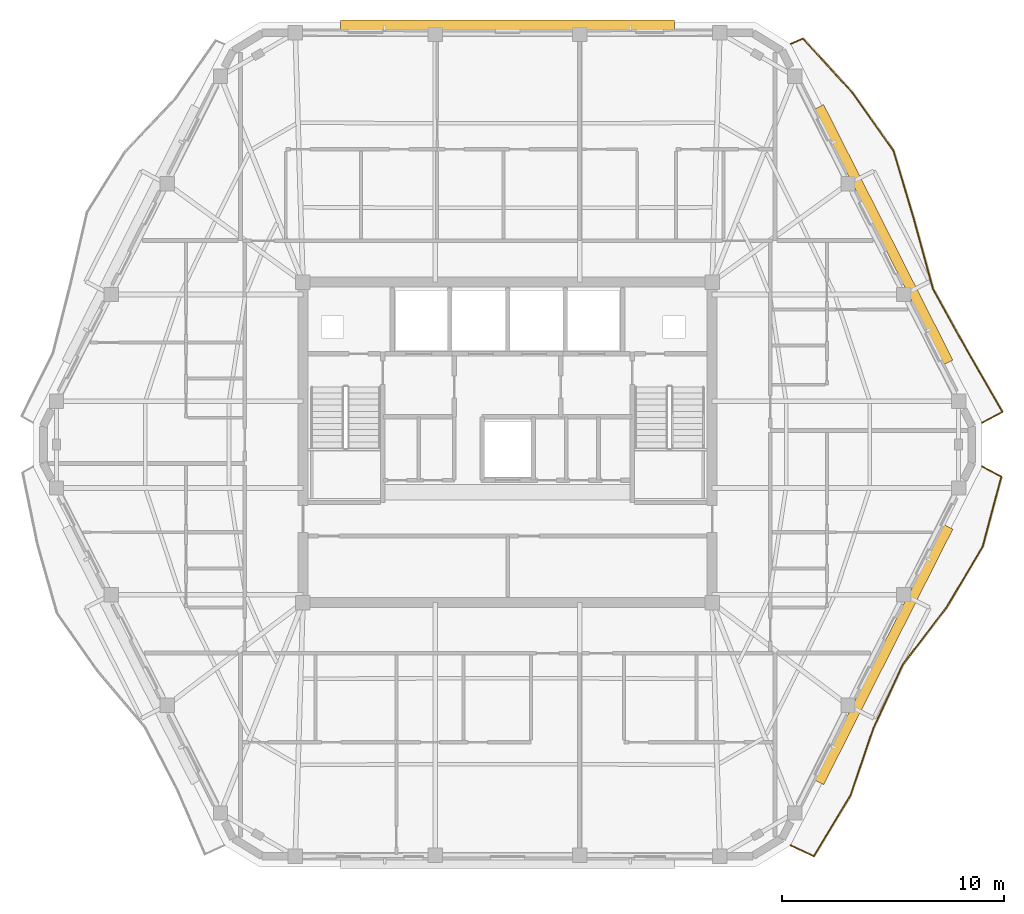
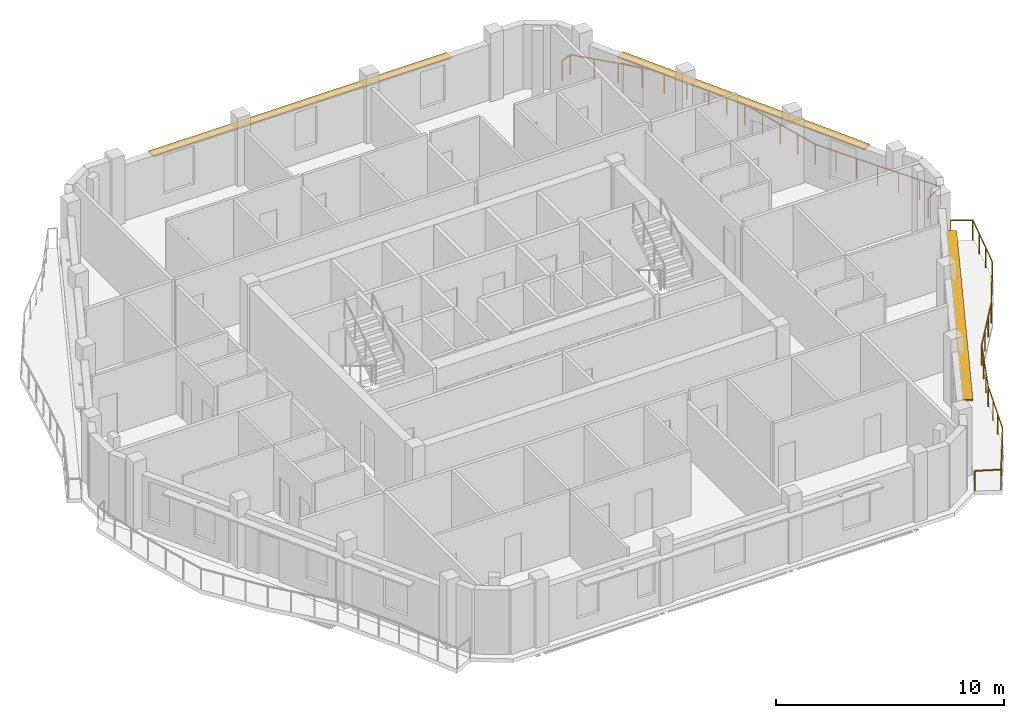
# One storey, part 11 of 11: 3 shading devices, 2 railings.
"""IFC4 building model written with IfcOpenShell, lengths in metres."""

import ifcopenshell
import ifcopenshell.guid

model = None  # the IFC model being written
_history = None  # IfcOwnerHistory: only IFC2X3 demands one
_inside = {}  # id of a spatial element -> (the spatial element, [elements in it])
_under = {}  # id of a project, library or spatial element -> (it, [spatial elements below it])
_declared = {}  # id of a project -> (the project, [libraries it declares])
_typed = {}  # id of a type object -> (the type object, [elements of that type])
_made_of = {}  # id of a material, layer set ... -> (it, [elements and type objects made of it])


def new_model(schema):
    """Start an empty IFC model of exactly this schema.

    Asked for "IFC4X3", IfcOpenShell would pick the latest addendum, in which some entities
    have other attributes; the version numbers below select the first issue.
    IFC2X3 requires an IfcOwnerHistory on every rooted entity: one is made here for all.
    """
    global model, _history
    if schema == "IFC4X3":
        model = ifcopenshell.file(schema_version=(4, 3, 0, 0))
    else:
        model = ifcopenshell.file(schema=schema)
    _inside.clear()
    _under.clear()
    _declared.clear()
    _typed.clear()
    _made_of.clear()
    _history = None
    if model.schema == "IFC2X3":
        org = make("IfcOrganization", Name="unknown")
        user = make(
            "IfcPersonAndOrganization",
            ThePerson=make("IfcPerson", FamilyName="unknown"),
            TheOrganization=org,
        )
        app = make(
            "IfcApplication",
            ApplicationDeveloper=org,
            Version="unknown",
            ApplicationFullName="unknown",
            ApplicationIdentifier="unknown",
        )
        _history = make(
            "IfcOwnerHistory",
            OwningUser=user,
            OwningApplication=app,
            ChangeAction="ADDED",
            CreationDate=0,
        )
    return model


def make(cls, **values):
    """One entity of the class cls with the attributes given. An attribute that is None is left unset."""
    return model.create_entity(
        cls, **{name: value for name, value in values.items() if value is not None}
    )


def rooted(cls, **values):
    """An entity with a GlobalId (a new one), such as an element, a storey or a relation."""
    return make(cls, GlobalId=ifcopenshell.guid.new(), OwnerHistory=_history, **values)


def si_unit(unit_type, name, prefix=None):
    """IfcSIUnit, for example si_unit("LENGTHUNIT", "METRE", prefix="MILLI")."""
    return make("IfcSIUnit", UnitType=unit_type, Prefix=prefix, Name=name)


def assignment(units):
    """IfcUnitAssignment: the units of a project."""
    return None if units is None else make("IfcUnitAssignment", Units=units)


def point(xyz):
    """IfcCartesianPoint."""
    return None if xyz is None else make("IfcCartesianPoint", Coordinates=xyz)


def direction(xyz):
    """IfcDirection."""
    return None if xyz is None else make("IfcDirection", DirectionRatios=xyz)


def frame(location, z_axis=None, x_axis=None):
    """IfcAxis2Placement3D, a coordinate frame: its origin and axes. An axis left out is left unset."""
    return make(
        "IfcAxis2Placement3D",
        Location=point(location),
        Axis=direction(z_axis),
        RefDirection=direction(x_axis),
    )


def frame_2d(location, x_axis=None):
    """IfcAxis2Placement2D, a coordinate frame in the plane: its origin and x axis."""
    return make(
        "IfcAxis2Placement2D", Location=point(location), RefDirection=direction(x_axis)
    )


def origin():
    """The frame at (0, 0, 0) with its axes left unset."""
    return frame((0.0, 0.0, 0.0))


def origin_2d():
    """The frame at (0, 0) in the plane with its x axis left unset."""
    return frame_2d((0.0, 0.0))


def place(relative_to, where):
    """IfcLocalPlacement: puts the frame where relative to a parent placement (None: the world)."""
    return make(
        "IfcLocalPlacement", PlacementRelTo=relative_to, RelativePlacement=where
    )


def context(
    kind, dimensions, precision=None, world=None, true_north=None, identifier=None
):
    """IfcGeometricRepresentationContext, for example the 3D "Model" context."""
    return make(
        "IfcGeometricRepresentationContext",
        ContextIdentifier=identifier,
        ContextType=kind,
        CoordinateSpaceDimension=dimensions,
        Precision=precision,
        WorldCoordinateSystem=world,
        TrueNorth=true_north,
    )


def subcontext(parent, identifier, kind, view, scale=None):
    """IfcGeometricRepresentationSubContext, for example "Body" below "Model"."""
    return make(
        "IfcGeometricRepresentationSubContext",
        ContextIdentifier=identifier,
        ContextType=kind,
        ParentContext=parent,
        TargetScale=scale,
        TargetView=view,
    )


def project(units=None, contexts=None):
    """IfcProject with its units and contexts."""
    return rooted(
        "IfcProject",
        Name="project",
        RepresentationContexts=contexts,
        UnitsInContext=assignment(units),
    )


def spatial(cls, under=None, at=None, **own):
    """A site, building, storey or space (cls), placed at a placement, below another one or the project."""
    s = rooted(cls, ObjectPlacement=at, **own)
    if under is not None:
        _under.setdefault(under.id(), (under, []))[1].append(s)
    return s


def profile(cls, at=None, kind="AREA", **sizes):
    """A parametric profile (cls). Its sizes go by their IFC names, for example OverallWidth=200.0."""
    return make(cls, ProfileType=kind, Position=at, **sizes)


def rectangle(**sizes):
    """IfcRectangleProfileDef."""
    return profile("IfcRectangleProfileDef", **sizes)


def extrude(swept, where, along, depth):
    """IfcExtrudedAreaSolid: the profile swept, set in the frame where, extruded along a direction by depth."""
    return make(
        "IfcExtrudedAreaSolid",
        SweptArea=swept,
        Position=where,
        ExtrudedDirection=direction(along),
        Depth=depth,
    )


def shape(context_of_items, identifier, shape_type, items):
    """IfcShapeRepresentation: the items that make up one representation, for example the "Body"."""
    return make(
        "IfcShapeRepresentation",
        ContextOfItems=context_of_items,
        RepresentationIdentifier=identifier,
        RepresentationType=shape_type,
        Items=items,
    )


def material(Name=None, Category=None):
    """IfcMaterial."""
    return make("IfcMaterial", Name=Name, Category=Category)


def layer(
    of_material, thickness, ventilated=None, Name=None, Category=None, Priority=None
):
    """IfcMaterialLayer: one layer of a wall or slab, of a material (None: an air gap)."""
    return make(
        "IfcMaterialLayer",
        Material=of_material,
        LayerThickness=thickness,
        IsVentilated=ventilated,
        Name=Name,
        Category=Category,
        Priority=Priority,
    )


def layer_set(layers, Name=None):
    """IfcMaterialLayerSet."""
    return make("IfcMaterialLayerSet", MaterialLayers=layers, LayerSetName=Name)


def made_of(thing, what):
    """Note that an element or type object is made of a material, layer set ...; save() writes the relation."""
    if what is not None:
        _made_of.setdefault(what.id(), (what, []))[1].append(thing)
    return thing


def type_object(cls, material=None, **own):
    """A type object (cls), such as IfcWallType, which elements share."""
    return made_of(rooted(cls, **own), material)


def element(
    cls,
    number,
    at=None,
    inside=None,
    cuts=None,
    type_object=None,
    material=None,
    context=None,
    identifier="Body",
    shape_type=None,
    held_by="IfcProductDefinitionShape",
    body=None,
    shapes=None,
    **own,
):
    """One element of the class cls, such as IfcWall. Its Tag is "e" and its number.

    at: its placement. inside: the storey or other place that contains it. cuts: it is an
    opening in that element (IfcRelVoidsElement). A single representation is given by context,
    identifier, shape_type and body (its items); several are given by shapes. held_by: the class
    of the entity that holds the representations. save() writes the other relations.
    """
    e = rooted(cls, Tag="e%d" % number, ObjectPlacement=at, **own)
    if body is not None:
        shapes = [shape(context, identifier, shape_type, body)]
    if shapes is not None:
        e.Representation = make(held_by, Representations=shapes)
    if inside is not None:
        _inside.setdefault(inside.id(), (inside, []))[1].append(e)
    if cuts is not None:
        rooted(
            "IfcRelVoidsElement", RelatingBuildingElement=cuts, RelatedOpeningElement=e
        )
    if type_object is not None:
        _typed.setdefault(type_object.id(), (type_object, []))[1].append(e)
    return made_of(e, material)


def aggregate(whole, parts):
    """IfcRelAggregates: a whole, such as a stair, and the parts it consists of."""
    return rooted("IfcRelAggregates", RelatingObject=whole, RelatedObjects=parts)


def save(model, path):
    """Write the relations noted so far, then the file.

    IfcRelAggregates (storeys below a building ...), IfcRelContainedInSpatialStructure (elements
    in a storey), IfcRelDefinesByType, IfcRelAssociatesMaterial and IfcRelDeclares: one each for
    every whole, place, type object, material and project.
    """
    for whole, parts in _under.values():
        aggregate(whole, parts)
    for where, things in _inside.values():
        rooted(
            "IfcRelContainedInSpatialStructure",
            RelatedElements=things,
            RelatingStructure=where,
        )
    for kind, things in _typed.values():
        rooted("IfcRelDefinesByType", RelatedObjects=things, RelatingType=kind)
    for what, things in _made_of.values():
        rooted("IfcRelAssociatesMaterial", RelatedObjects=things, RelatingMaterial=what)
    for by, libraries in _declared.values():
        rooted("IfcRelDeclares", RelatingContext=by, RelatedDefinitions=libraries)
    model.write(path)


model = new_model("IFC4")

# Units and contexts
model_context = context("Model", 3, precision=1e-05, world=origin(), true_north=direction((0.0, 1.0)))
body_context = subcontext(model_context, "Body", "Model", "MODEL_VIEW")
ifc_project = project(units=[si_unit("LENGTHUNIT", "METRE"), si_unit("AREAUNIT", "SQUARE_METRE"), si_unit("VOLUMEUNIT", "CUBIC_METRE"), si_unit("PLANEANGLEUNIT", "RADIAN"), si_unit("MASSUNIT", "GRAM", prefix="KILO")], contexts=[model_context])

# Site, building, storey
site_placement = place(None, origin())
site = spatial("IfcSite", under=ifc_project, at=site_placement, CompositionType="ELEMENT")
building_placement = place(site_placement, origin())
building = spatial("IfcBuilding", under=site, at=building_placement, Name="Cinnabar Lancet Tower", CompositionType="ELEMENT")
storey_placement = place(building_placement, frame((0.0, 0.0, 259.85009765625)))
storey = spatial("IfcBuildingStorey", under=building, at=storey_placement, Name="L69", CompositionType="ELEMENT", Elevation=259.85009765625)

# Railings
ifc_material_1 = material(Name="Laminated safety glass and bronze stainless steel balustrade", Category="steel")
railing_type = type_object("IfcRailingType", Name="ENV-RLG-BAL-1100", PredefinedType="BALUSTRADE", material=ifc_material_1)
railing_1_placement = place(storey_placement, frame((45.160888671875, 7.73193359375, 0.0)))
element("IfcRailing", 1, at=railing_1_placement, inside=storey, type_object=railing_type, Name="L69 Face 2 Wave Balcony Balustrade", PredefinedType="BALUSTRADE", context=body_context, shape_type="SweptSolid", body=[
    extrude(rectangle(XDim=0.048095703125, YDim=0.048095703125, at=origin_2d()), frame((0.0, 0.0, 1.076171875), z_axis=(0.904305332568, -0.426886244203, 0.0), x_axis=(0.426886244203, 0.904305332568, 0.0)), (0.0, 0.0, 1.0), 1.15478515625),
    extrude(rectangle(XDim=0.048095703125, YDim=0.048095703125, at=origin_2d()), frame((1.044189453125, -0.492919921875, 1.076171875), z_axis=(0.517328135717, 0.85578712306, 0.0), x_axis=(-0.85578712306, 0.517328135717, 0.0)), (0.0, 0.0, 1.0), 3.191162109375),
    extrude(rectangle(XDim=0.048095703125, YDim=0.048095703125, at=origin_2d()), frame((2.695068359375, 2.238037109375, 1.076171875), z_axis=(0.322964661081, 0.94641102471, 0.0), x_axis=(-0.94641102471, 0.322964661081, 0.0)), (0.0, 0.0, 1.0), 3.21435546875),
    extrude(rectangle(XDim=0.048095703125, YDim=0.048095703125, at=origin_2d()), frame((3.733154296875, 5.280029296875, 1.076171875), z_axis=(0.419846241797, 0.90759524748, 0.0), x_axis=(-0.90759524748, 0.419846241797, 0.0)), (0.0, 0.0, 1.0), 3.181884765625),
    extrude(rectangle(XDim=0.048095703125, YDim=0.048095703125, at=origin_2d()), frame((5.069091796875, 8.16796875, 1.076171875), z_axis=(0.608452133361, 0.793590575428, 0.0), x_axis=(-0.793590575428, 0.608452133361, 0.0)), (0.0, 0.0, 1.0), 3.236083984375),
    extrude(rectangle(XDim=0.048095703125, YDim=0.048095703125, at=origin_2d()), frame((7.0380859375, 10.736083984375, 1.076171875), z_axis=(0.509340567573, 0.860565038928, 0.0), x_axis=(-0.860565038928, 0.509340567573, 0.0)), (0.0, 0.0, 1.0), 3.1884765625),
    extrude(rectangle(XDim=0.048095703125, YDim=0.048095703125, at=origin_2d()), frame((8.662109375, 13.47998046875, 1.076171875), z_axis=(0.258443243123, 0.966026443781, 0.0), x_axis=(-0.966026443781, 0.258443243123, 0.0)), (0.0, 0.0, 1.0), 3.25048828125),
    extrude(rectangle(XDim=0.048095703125, YDim=0.048095703125, at=origin_2d()), frame((9.502197265625, 16.6201171875, 1.076171875), z_axis=(-0.879217923845, 0.476419817377, 0.0), x_axis=(-0.476419817377, -0.879217923845, 0.0)), (0.0, 0.0, 1.0), 0.978271484375),
    extrude(rectangle(XDim=0.0419921875, YDim=0.0419921875, at=origin_2d()), origin(), (0.0, 0.0, 1.0), 1.052001953125),
    extrude(rectangle(XDim=0.0419921875, YDim=0.0419921875, at=origin_2d()), frame((1.044189453125, -0.492919921875, 0.0)), (0.0, 0.0, 1.0), 1.052001953125),
    extrude(rectangle(XDim=0.0419921875, YDim=0.0419921875, at=origin_2d()), frame((1.594482421875, 0.41748046875, 0.0)), (0.0, 0.0, 1.0), 1.052001953125),
    extrude(rectangle(XDim=0.0419921875, YDim=0.0419921875, at=origin_2d()), frame((2.144775390625, 1.32763671875, 0.0)), (0.0, 0.0, 1.0), 1.052001953125),
    extrude(rectangle(XDim=0.0419921875, YDim=0.0419921875, at=origin_2d()), frame((2.695068359375, 2.238037109375, 0.0)), (0.0, 0.0, 1.0), 1.052001953125),
    extrude(rectangle(XDim=0.0419921875, YDim=0.0419921875, at=origin_2d()), frame((3.041015625, 3.251953125, 0.0)), (0.0, 0.0, 1.0), 1.052001953125),
    extrude(rectangle(XDim=0.0419921875, YDim=0.0419921875, at=origin_2d()), frame((3.38720703125, 4.26611328125, 0.0)), (0.0, 0.0, 1.0), 1.052001953125),
    extrude(rectangle(XDim=0.0419921875, YDim=0.0419921875, at=origin_2d()), frame((3.733154296875, 5.280029296875, 0.0)), (0.0, 0.0, 1.0), 1.052001953125),
    extrude(rectangle(XDim=0.0419921875, YDim=0.0419921875, at=origin_2d()), frame((4.178466796875, 6.24267578125, 0.0)), (0.0, 0.0, 1.0), 1.052001953125),
    extrude(rectangle(XDim=0.0419921875, YDim=0.0419921875, at=origin_2d()), frame((4.623779296875, 7.205322265625, 0.0)), (0.0, 0.0, 1.0), 1.052001953125),
    extrude(rectangle(XDim=0.0419921875, YDim=0.0419921875, at=origin_2d()), frame((5.069091796875, 8.16796875, 0.0)), (0.0, 0.0, 1.0), 1.052001953125),
    extrude(rectangle(XDim=0.0419921875, YDim=0.0419921875, at=origin_2d()), frame((5.725341796875, 9.02392578125, 0.0)), (0.0, 0.0, 1.0), 1.052001953125),
    extrude(rectangle(XDim=0.0419921875, YDim=0.0419921875, at=origin_2d()), frame((6.3818359375, 9.880126953125, 0.0)), (0.0, 0.0, 1.0), 1.052001953125),
    extrude(rectangle(XDim=0.0419921875, YDim=0.0419921875, at=origin_2d()), frame((7.0380859375, 10.736083984375, 0.0)), (0.0, 0.0, 1.0), 1.052001953125),
    extrude(rectangle(XDim=0.0419921875, YDim=0.0419921875, at=origin_2d()), frame((7.579345703125, 11.650634765625, 0.0)), (0.0, 0.0, 1.0), 1.052001953125),
    extrude(rectangle(XDim=0.0419921875, YDim=0.0419921875, at=origin_2d()), frame((8.120849609375, 12.5654296875, 0.0)), (0.0, 0.0, 1.0), 1.052001953125),
    extrude(rectangle(XDim=0.0419921875, YDim=0.0419921875, at=origin_2d()), frame((8.662109375, 13.47998046875, 0.0)), (0.0, 0.0, 1.0), 1.052001953125),
    extrude(rectangle(XDim=0.0419921875, YDim=0.0419921875, at=origin_2d()), frame((8.942138671875, 14.526611328125, 0.0)), (0.0, 0.0, 1.0), 1.052001953125),
    extrude(rectangle(XDim=0.0419921875, YDim=0.0419921875, at=origin_2d()), frame((9.22216796875, 15.573486328125, 0.0)), (0.0, 0.0, 1.0), 1.052001953125),
    extrude(rectangle(XDim=0.0419921875, YDim=0.0419921875, at=origin_2d()), frame((9.502197265625, 16.6201171875, 0.0)), (0.0, 0.0, 1.0), 1.052001953125),
    extrude(rectangle(XDim=0.0419921875, YDim=0.0419921875, at=origin_2d()), frame((8.64208984375, 17.086181640625, 0.0)), (0.0, 0.0, 1.0), 1.052001953125),
])
railing_2_placement = place(storey_placement, frame((53.802978515625, 26.781982421875, 0.0)))
element("IfcRailing", 2, at=railing_2_placement, inside=storey, type_object=railing_type, Name="L69 Face 3 Wave Balcony Balustrade", PredefinedType="BALUSTRADE", context=body_context, shape_type="SweptSolid", body=[
    extrude(rectangle(XDim=0.048095703125, YDim=0.048095703125, at=origin_2d()), frame((0.0, 0.0, 1.076171875), z_axis=(0.88032714716, 0.474367066704, 0.0), x_axis=(-0.474367066704, 0.88032714716, 0.0)), (0.0, 0.0, 1.0), 1.034912109375),
    extrude(rectangle(XDim=0.048095703125, YDim=0.048095703125, at=origin_2d()), frame((0.9111328125, 0.490966796875, 1.076171875), z_axis=(-0.499755605676, 0.866166458941, 0.0), x_axis=(-0.866166458941, -0.499755605676, 0.0)), (0.0, 0.0, 1.0), 3.1875),
    extrude(rectangle(XDim=0.048095703125, YDim=0.048095703125, at=origin_2d()), frame((-0.681884765625, 3.251953125, 1.076171875), z_axis=(-0.48376650292, 0.875197103887, 0.0), x_axis=(-0.875197103887, -0.48376650292, 0.0)), (0.0, 0.0, 1.0), 3.183349609375),
    extrude(rectangle(XDim=0.048095703125, YDim=0.048095703125, at=origin_2d()), frame((-2.221923828125, 6.0380859375, 1.076171875), z_axis=(-0.264072173, 0.964502922467, 0.0), x_axis=(-0.964502922467, -0.264072173, 0.0)), (0.0, 0.0, 1.0), 3.2451171875),
    extrude(rectangle(XDim=0.048095703125, YDim=0.048095703125, at=origin_2d()), frame((-3.078857421875, 9.16796875, 1.076171875), z_axis=(-0.285740659688, 0.958306983905, 0.0), x_axis=(-0.958306983905, -0.285740659688, 0.0)), (0.0, 0.0, 1.0), 3.23388671875),
    extrude(rectangle(XDim=0.048095703125, YDim=0.048095703125, at=origin_2d()), frame((-4.0029296875, 12.26708984375, 1.076171875), z_axis=(-0.578110017559, 0.815958827147, 0.0), x_axis=(-0.815958827147, -0.578110017559, 0.0)), (0.0, 0.0, 1.0), 3.2158203125),
    extrude(rectangle(XDim=0.048095703125, YDim=0.048095703125, at=origin_2d()), frame((-5.862060546875, 14.89111328125, 1.076171875), z_axis=(-0.674766899204, 0.738030915164, 0.0), x_axis=(-0.738030915164, -0.674766899204, 0.0)), (0.0, 0.0, 1.0), 3.303466796875),
    extrude(rectangle(XDim=0.048095703125, YDim=0.048095703125, at=origin_2d()), frame((-8.091064453125, 17.3291015625, 1.076171875), z_axis=(-0.914878171934, -0.403730021819, 0.0), x_axis=(0.403730021819, -0.914878171934, 0.0)), (0.0, 0.0, 1.0), 0.602294921875),
    extrude(rectangle(XDim=0.0419921875, YDim=0.0419921875, at=origin_2d()), origin(), (0.0, 0.0, 1.0), 1.052001953125),
    extrude(rectangle(XDim=0.0419921875, YDim=0.0419921875, at=origin_2d()), frame((0.9111328125, 0.490966796875, 0.0)), (0.0, 0.0, 1.0), 1.052001953125),
    extrude(rectangle(XDim=0.0419921875, YDim=0.0419921875, at=origin_2d()), frame((0.380126953125, 1.411376953125, 0.0)), (0.0, 0.0, 1.0), 1.052001953125),
    extrude(rectangle(XDim=0.0419921875, YDim=0.0419921875, at=origin_2d()), frame((-0.15087890625, 2.33154296875, 0.0)), (0.0, 0.0, 1.0), 1.052001953125),
    extrude(rectangle(XDim=0.0419921875, YDim=0.0419921875, at=origin_2d()), frame((-0.681884765625, 3.251953125, 0.0)), (0.0, 0.0, 1.0), 1.052001953125),
    extrude(rectangle(XDim=0.0419921875, YDim=0.0419921875, at=origin_2d()), frame((-1.1953125, 4.1806640625, 0.0)), (0.0, 0.0, 1.0), 1.052001953125),
    extrude(rectangle(XDim=0.0419921875, YDim=0.0419921875, at=origin_2d()), frame((-1.70849609375, 5.109375, 0.0)), (0.0, 0.0, 1.0), 1.052001953125),
    extrude(rectangle(XDim=0.0419921875, YDim=0.0419921875, at=origin_2d()), frame((-2.221923828125, 6.0380859375, 0.0)), (0.0, 0.0, 1.0), 1.052001953125),
    extrude(rectangle(XDim=0.0419921875, YDim=0.0419921875, at=origin_2d()), frame((-2.507568359375, 7.081298828125, 0.0)), (0.0, 0.0, 1.0), 1.052001953125),
    extrude(rectangle(XDim=0.0419921875, YDim=0.0419921875, at=origin_2d()), frame((-2.793212890625, 8.124755859375, 0.0)), (0.0, 0.0, 1.0), 1.052001953125),
    extrude(rectangle(XDim=0.0419921875, YDim=0.0419921875, at=origin_2d()), frame((-3.078857421875, 9.16796875, 0.0)), (0.0, 0.0, 1.0), 1.052001953125),
    extrude(rectangle(XDim=0.0419921875, YDim=0.0419921875, at=origin_2d()), frame((-3.386962890625, 10.200927734375, 0.0)), (0.0, 0.0, 1.0), 1.052001953125),
    extrude(rectangle(XDim=0.0419921875, YDim=0.0419921875, at=origin_2d()), frame((-3.69482421875, 11.234130859375, 0.0)), (0.0, 0.0, 1.0), 1.052001953125),
    extrude(rectangle(XDim=0.0419921875, YDim=0.0419921875, at=origin_2d()), frame((-4.0029296875, 12.26708984375, 0.0)), (0.0, 0.0, 1.0), 1.052001953125),
    extrude(rectangle(XDim=0.0419921875, YDim=0.0419921875, at=origin_2d()), frame((-4.62255859375, 13.141845703125, 0.0)), (0.0, 0.0, 1.0), 1.052001953125),
    extrude(rectangle(XDim=0.0419921875, YDim=0.0419921875, at=origin_2d()), frame((-5.242431640625, 14.016357421875, 0.0)), (0.0, 0.0, 1.0), 1.052001953125),
    extrude(rectangle(XDim=0.0419921875, YDim=0.0419921875, at=origin_2d()), frame((-5.862060546875, 14.89111328125, 0.0)), (0.0, 0.0, 1.0), 1.052001953125),
    extrude(rectangle(XDim=0.0419921875, YDim=0.0419921875, at=origin_2d()), frame((-6.60498046875, 15.703857421875, 0.0)), (0.0, 0.0, 1.0), 1.052001953125),
    extrude(rectangle(XDim=0.0419921875, YDim=0.0419921875, at=origin_2d()), frame((-7.34814453125, 16.516357421875, 0.0)), (0.0, 0.0, 1.0), 1.052001953125),
    extrude(rectangle(XDim=0.0419921875, YDim=0.0419921875, at=origin_2d()), frame((-8.091064453125, 17.3291015625, 0.0)), (0.0, 0.0, 1.0), 1.052001953125),
    extrude(rectangle(XDim=0.0419921875, YDim=0.0419921875, at=origin_2d()), frame((-8.64208984375, 17.0859375, 0.0)), (0.0, 0.0, 1.0), 1.052001953125),
])

# Shading devices
ifc_material_2 = material(Name="Pale limestone architectural aluminium sunshade", Category="masonry")
ifc_layer = layer(ifc_material_2, 0.080078125)
ifc_layer_set = layer_set([ifc_layer], Name="Pale limestone architectural aluminium sunshade")
shading_device_type = type_object("IfcShadingDeviceType", Name="ENV-SHD-LVR-450", PredefinedType="JALOUSIE", material=ifc_layer_set)
for number, where, z_axis, x_axis, name in (
    (3, (49.364013671875, 16.330078125, 2.639892578125), (0.0, 0.0, 1.0), (0.451375984307, 0.89233386173, 0.0), "L69 Face 2 Horizontal Sunshade Canopy"),
    (4, (49.364013671875, 35.27001953125, 2.639892578125), (0.0, 0.0, 1.0), (-0.451375984307, 0.89233386173, 0.0), "L69 Face 3 Horizontal Sunshade Canopy"),
):
    element("IfcShadingDevice", number, at=place(storey_placement, frame(where, z_axis=z_axis, x_axis=x_axis)), inside=storey, type_object=shading_device_type, Name=name, PredefinedType="JALOUSIE", context=body_context, shape_type="SweptSolid", body=[
        extrude(rectangle(XDim=12.912109375, YDim=0.449951171875, at=origin_2d()), origin(), (0.0, 0.0, 1.0), 0.080078125),
    ])
shading_device_placement = place(storey_placement, frame((32.39990234375, 44.719970703125, 2.639892578125), z_axis=(0.0, 0.0, 1.0), x_axis=(-1.0, 0.0, 0.0)))
element("IfcShadingDevice", 5, at=shading_device_placement, inside=storey, type_object=shading_device_type, Name="L69 Face 4 Horizontal Sunshade Canopy", PredefinedType="JALOUSIE", context=body_context, shape_type="SweptSolid", body=[
    extrude(rectangle(XDim=15.06103515625, YDim=0.449951171875, at=origin_2d()), origin(), (0.0, 0.0, 1.0), 0.080078125),
])

save(model, "model.ifc")
